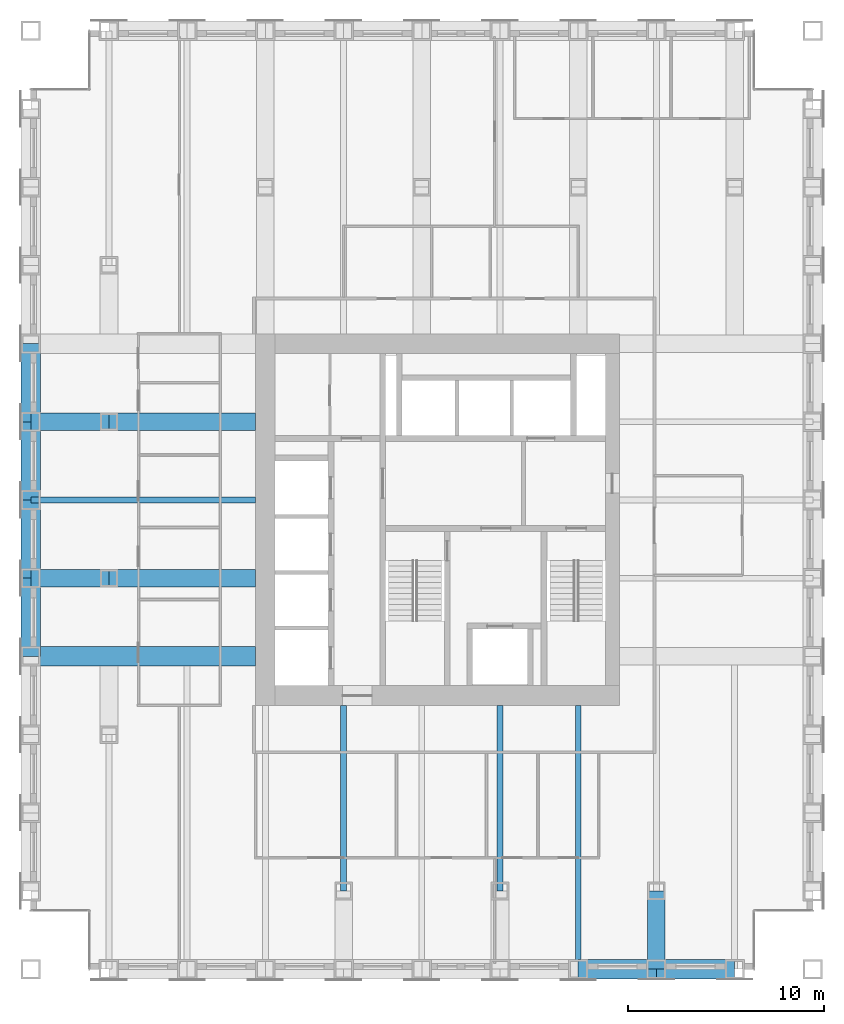
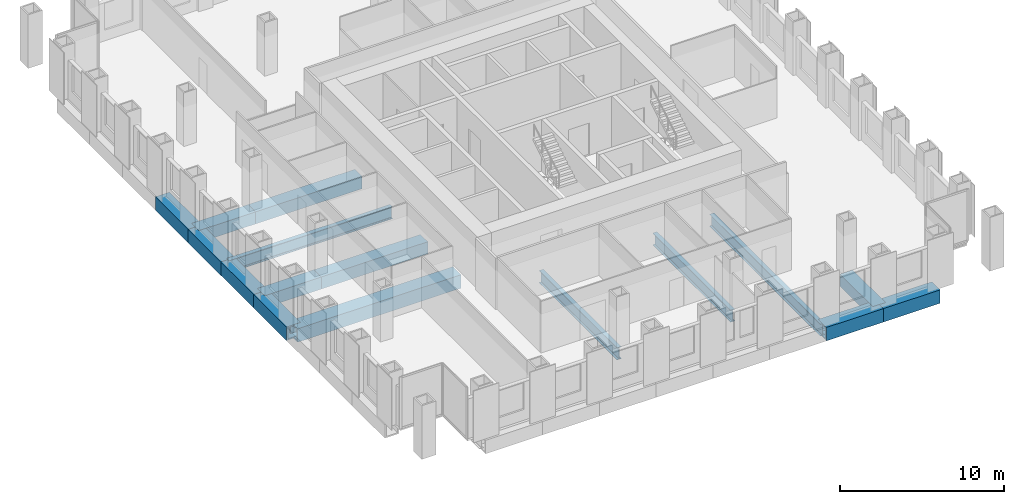
# One storey, part 3 of 12: 16 beams.
"""IFC4 building model written with IfcOpenShell, lengths in metres."""

from ifc_helpers import new_model, si_unit, direction, frame, origin, origin_2d, place, context, subcontext, project, spatial, hollow_rectangle, i_section, extrude, material, material_profile, profile_set, type_object, element, save


model = new_model("IFC4")

# Units and contexts
model_context = context("Model", 3, precision=1e-05, world=origin(), true_north=direction((0.0, 1.0)))
body_context = subcontext(model_context, "Body", "Model", "MODEL_VIEW")
ifc_project = project(units=[si_unit("LENGTHUNIT", "METRE"), si_unit("AREAUNIT", "SQUARE_METRE"), si_unit("VOLUMEUNIT", "CUBIC_METRE"), si_unit("PLANEANGLEUNIT", "RADIAN"), si_unit("MASSUNIT", "GRAM", prefix="KILO")], contexts=[model_context])

# Site, building, storey
site_placement = place(None, origin())
site = spatial("IfcSite", under=ifc_project, at=site_placement, CompositionType="ELEMENT")
building_placement = place(site_placement, origin())
building = spatial("IfcBuilding", under=site, at=building_placement, Name="Rimbunsela Tower", CompositionType="ELEMENT")
storey_placement = place(building_placement, frame((0.0, 0.0, 159.800048828125)))
storey = spatial("IfcBuildingStorey", under=building, at=storey_placement, Name="L38", CompositionType="ELEMENT", Elevation=159.800048828125)

# Beams
ifc_material_1 = material(Name="Steel BJ 55 (fy 410 MPa)", Category="steel")
ifc_material_profile_1 = material_profile(ifc_material_1, hollow_rectangle(XDim=1.0, YDim=1.0, WallThickness=0.10009765625, at=origin_2d()), Name="BOX 1000x1000x100")
ifc_profile_set_1 = profile_set([ifc_material_profile_1], Name="Steel BJ 55 (fy 410 MPa)")
beam_type_1 = type_object("IfcBeamType", Name="Beam BOX 1000x1000x100", PredefinedType="BEAM", material=ifc_profile_set_1)
beam_1_placement = place(storey_placement, frame((6.0, 20.0, -0.650146484375), z_axis=(0.0, 1.0, 0.0), x_axis=(-1.0, 0.0, 0.0)))
element("IfcBeam", 1, at=beam_1_placement, inside=storey, type_object=beam_type_1, Name="Beam B3 L38", PredefinedType="BEAM", context=body_context, shape_type="SweptSolid", body=[
    extrude(hollow_rectangle(XDim=1.0, YDim=1.0, WallThickness=0.10009765625, at=origin_2d()), origin(), (0.0, 0.0, 1.0), 4.0),
])
beam_2_placement = place(storey_placement, frame((6.0, 20.0, -0.650146484375), z_axis=(1.0, 0.0, 0.0), x_axis=(0.0, 1.0, 0.0)))
element("IfcBeam", 2, at=beam_2_placement, inside=storey, type_object=beam_type_1, Name="Beam B3 L38", PredefinedType="BEAM", context=body_context, shape_type="SweptSolid", body=[
    extrude(hollow_rectangle(XDim=1.0, YDim=1.0, WallThickness=0.10009765625, at=origin_2d()), origin(), (0.0, 0.0, 1.0), 11.5),
])
for number, where, z_axis, x_axis, name in (
    (3, (6.0, 24.0, -0.650146484375), (0.0, 1.0, 0.0), (-1.0, 0.0, 0.0), "Beam B3 L38"),
    (4, (6.0, 28.0, -0.650146484375), (0.0, 1.0, 0.0), (-1.0, 0.0, 0.0), "Beam B3 L38"),
    (5, (6.0, 32.0, -0.650146484375), (0.0, 1.0, 0.0), (-1.0, 0.0, 0.0), "Beam B3 L38"),
    (6, (34.0, 4.0, -0.650146484375), (1.0, 0.0, 0.0), (0.0, 1.0, 0.0), "Beam B3 L38"),
    (7, (38.0, 4.0, -0.650146484375), (1.0, 0.0, 0.0), (0.0, 1.0, 0.0), "Beam B3 L38"),
):
    element("IfcBeam", number, at=place(storey_placement, frame(where, z_axis=z_axis, x_axis=x_axis)), inside=storey, type_object=beam_type_1, Name=name, PredefinedType="BEAM", context=body_context, shape_type="SweptSolid", body=[
        extrude(hollow_rectangle(XDim=1.0, YDim=1.0, WallThickness=0.10009765625, at=origin_2d()), origin(), (0.0, 0.0, 1.0), 4.0),
    ])
ifc_material_2 = material(Name="Steel BJ 55 (fy 410 MPa)", Category="steel")
ifc_material_profile_2 = material_profile(ifc_material_2, hollow_rectangle(XDim=0.89990234375, YDim=0.89990234375, WallThickness=0.06005859375, at=origin_2d()), Name="BOX 900x900x60")
ifc_profile_set_2 = profile_set([ifc_material_profile_2], Name="Steel BJ 55 (fy 410 MPa)")
beam_type_2 = type_object("IfcBeamType", Name="Beam BOX 900x900x60", PredefinedType="BEAM", material=ifc_profile_set_2)
for number, where, z_axis, x_axis, name in (
    (8, (6.0, 24.0, -0.60009765625), (1.0, 0.0, 0.0), (0.0, 1.0, 0.0), "Beam B1 L38"),
    (9, (6.0, 32.0, -0.60009765625), (1.0, 0.0, 0.0), (0.0, 1.0, 0.0), "Beam B1 L38"),
):
    element("IfcBeam", number, at=place(storey_placement, frame(where, z_axis=z_axis, x_axis=x_axis)), inside=storey, type_object=beam_type_2, Name=name, PredefinedType="BEAM", context=body_context, shape_type="SweptSolid", body=[
        extrude(hollow_rectangle(XDim=0.89990234375, YDim=0.89990234375, WallThickness=0.06005859375, at=origin_2d()), origin(), (0.0, 0.0, 1.0), 4.0),
    ])
for number, where, z_axis, x_axis, name in (
    (10, (10.0, 24.0, -0.60009765625), (1.0, 0.0, 0.0), (0.0, 1.0, 0.0), "Beam B1 L38"),
    (11, (10.0, 32.0, -0.60009765625), (1.0, 0.0, 0.0), (0.0, 1.0, 0.0), "Beam B1 L38"),
):
    element("IfcBeam", number, at=place(storey_placement, frame(where, z_axis=z_axis, x_axis=x_axis)), inside=storey, type_object=beam_type_2, Name=name, PredefinedType="BEAM", context=body_context, shape_type="SweptSolid", body=[
        extrude(hollow_rectangle(XDim=0.89990234375, YDim=0.89990234375, WallThickness=0.06005859375, at=origin_2d()), origin(), (0.0, 0.0, 1.0), 7.5),
    ])
beam_3_placement = place(storey_placement, frame((38.0, 4.0, -0.60009765625), z_axis=(0.0, 1.0, 0.0), x_axis=(-1.0, 0.0, 0.0)))
element("IfcBeam", 12, at=beam_3_placement, inside=storey, type_object=beam_type_2, Name="Beam B1 L38", PredefinedType="BEAM", context=body_context, shape_type="SweptSolid", body=[
    extrude(hollow_rectangle(XDim=0.89990234375, YDim=0.89990234375, WallThickness=0.06005859375, at=origin_2d()), origin(), (0.0, 0.0, 1.0), 4.0),
])
ifc_material_3 = material(Name="Steel BJ 55 (fy 410 MPa)", Category="steel")
ifc_material_profile_3 = material_profile(ifc_material_3, i_section(OverallWidth=0.300048828125, OverallDepth=0.89990234375, WebThickness=0.01611328125, FlangeThickness=0.028076171875, FilletRadius=0.028076171875, at=origin_2d()), Name="H 900x300x16x28")
ifc_profile_set_3 = profile_set([ifc_material_profile_3], Name="Steel BJ 55 (fy 410 MPa)")
beam_type_3 = type_object("IfcBeamType", Name="Beam H 900x300x16x28", PredefinedType="BEAM", material=ifc_profile_set_3)
beam_4_placement = place(storey_placement, frame((6.0, 28.0, -0.60009765625), z_axis=(1.0, 0.0, 0.0), x_axis=(0.0, 1.0, 0.0)))
element("IfcBeam", 13, at=beam_4_placement, inside=storey, type_object=beam_type_3, Name="Beam B2 L38", PredefinedType="BEAM", context=body_context, shape_type="SweptSolid", body=[
    extrude(i_section(OverallWidth=0.300048828125, OverallDepth=0.89990234375, WebThickness=0.01611328125, FlangeThickness=0.028076171875, FilletRadius=0.028076171875, at=origin_2d()), origin(), (0.0, 0.0, 1.0), 11.5),
])
for number, where, z_axis, x_axis, name in (
    (14, (22.0, 8.0, -0.60009765625), (0.0, 1.0, 0.0), (-1.0, 0.0, 0.0), "Beam B2 L38"),
    (15, (30.0, 8.0, -0.60009765625), (0.0, 1.0, 0.0), (-1.0, 0.0, 0.0), "Beam B2 L38"),
):
    element("IfcBeam", number, at=place(storey_placement, frame(where, z_axis=z_axis, x_axis=x_axis)), inside=storey, type_object=beam_type_3, Name=name, PredefinedType="BEAM", context=body_context, shape_type="SweptSolid", body=[
        extrude(i_section(OverallWidth=0.300048828125, OverallDepth=0.89990234375, WebThickness=0.01611328125, FlangeThickness=0.028076171875, FilletRadius=0.028076171875, at=origin_2d()), origin(), (0.0, 0.0, 1.0), 9.5),
    ])
beam_5_placement = place(storey_placement, frame((34.0, 4.0, -0.60009765625), z_axis=(0.0, 1.0, 0.0), x_axis=(-1.0, 0.0, 0.0)))
element("IfcBeam", 16, at=beam_5_placement, inside=storey, type_object=beam_type_3, Name="Beam B2 L38", PredefinedType="BEAM", context=body_context, shape_type="SweptSolid", body=[
    extrude(i_section(OverallWidth=0.300048828125, OverallDepth=0.89990234375, WebThickness=0.01611328125, FlangeThickness=0.028076171875, FilletRadius=0.028076171875, at=origin_2d()), origin(), (0.0, 0.0, 1.0), 13.5),
])

save(model, "model.ifc")
